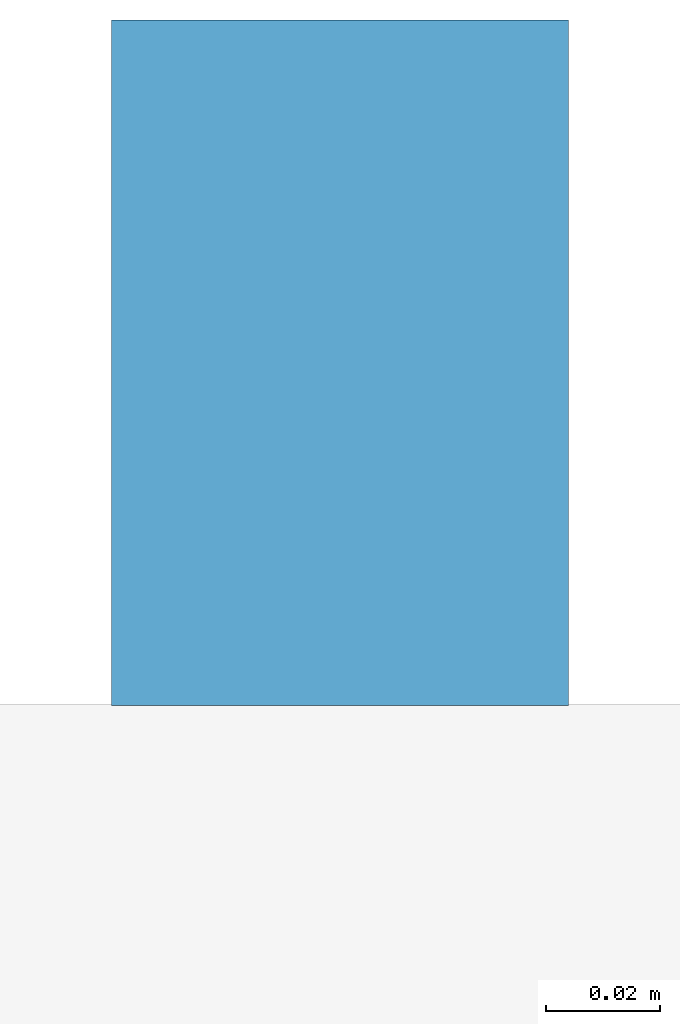
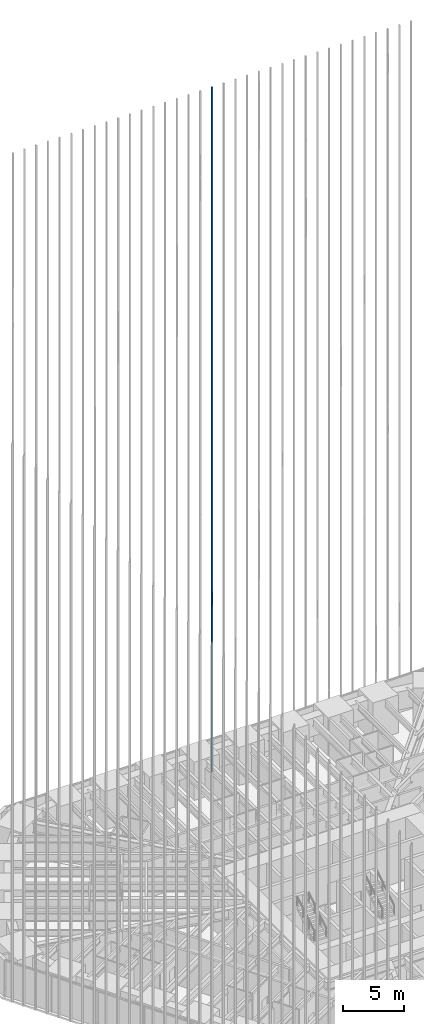
# One storey, part 190 of 256: 1 member, 1 element without a shape of its own.
"""IFC4 building model written with IfcOpenShell, lengths in metres."""

import ifcopenshell
import ifcopenshell.guid

model = None  # the IFC model being written
_history = None  # IfcOwnerHistory: only IFC2X3 demands one
_inside = {}  # id of a spatial element -> (the spatial element, [elements in it])
_under = {}  # id of a project, library or spatial element -> (it, [spatial elements below it])
_declared = {}  # id of a project -> (the project, [libraries it declares])
_typed = {}  # id of a type object -> (the type object, [elements of that type])
_made_of = {}  # id of a material, layer set ... -> (it, [elements and type objects made of it])


def new_model(schema):
    """Start an empty IFC model of exactly this schema.

    Asked for "IFC4X3", IfcOpenShell would pick the latest addendum, in which some entities
    have other attributes; the version numbers below select the first issue.
    IFC2X3 requires an IfcOwnerHistory on every rooted entity: one is made here for all.
    """
    global model, _history
    if schema == "IFC4X3":
        model = ifcopenshell.file(schema_version=(4, 3, 0, 0))
    else:
        model = ifcopenshell.file(schema=schema)
    _inside.clear()
    _under.clear()
    _declared.clear()
    _typed.clear()
    _made_of.clear()
    _history = None
    if model.schema == "IFC2X3":
        org = make("IfcOrganization", Name="unknown")
        user = make(
            "IfcPersonAndOrganization",
            ThePerson=make("IfcPerson", FamilyName="unknown"),
            TheOrganization=org,
        )
        app = make(
            "IfcApplication",
            ApplicationDeveloper=org,
            Version="unknown",
            ApplicationFullName="unknown",
            ApplicationIdentifier="unknown",
        )
        _history = make(
            "IfcOwnerHistory",
            OwningUser=user,
            OwningApplication=app,
            ChangeAction="ADDED",
            CreationDate=0,
        )
    return model


def make(cls, **values):
    """One entity of the class cls with the attributes given. An attribute that is None is left unset."""
    return model.create_entity(
        cls, **{name: value for name, value in values.items() if value is not None}
    )


def rooted(cls, **values):
    """An entity with a GlobalId (a new one), such as an element, a storey or a relation."""
    return make(cls, GlobalId=ifcopenshell.guid.new(), OwnerHistory=_history, **values)


def si_unit(unit_type, name, prefix=None):
    """IfcSIUnit, for example si_unit("LENGTHUNIT", "METRE", prefix="MILLI")."""
    return make("IfcSIUnit", UnitType=unit_type, Prefix=prefix, Name=name)


def assignment(units):
    """IfcUnitAssignment: the units of a project."""
    return None if units is None else make("IfcUnitAssignment", Units=units)


def point(xyz):
    """IfcCartesianPoint."""
    return None if xyz is None else make("IfcCartesianPoint", Coordinates=xyz)


def direction(xyz):
    """IfcDirection."""
    return None if xyz is None else make("IfcDirection", DirectionRatios=xyz)


def frame(location, z_axis=None, x_axis=None):
    """IfcAxis2Placement3D, a coordinate frame: its origin and axes. An axis left out is left unset."""
    return make(
        "IfcAxis2Placement3D",
        Location=point(location),
        Axis=direction(z_axis),
        RefDirection=direction(x_axis),
    )


def frame_2d(location, x_axis=None):
    """IfcAxis2Placement2D, a coordinate frame in the plane: its origin and x axis."""
    return make(
        "IfcAxis2Placement2D", Location=point(location), RefDirection=direction(x_axis)
    )


def origin():
    """The frame at (0, 0, 0) with its axes left unset."""
    return frame((0.0, 0.0, 0.0))


def origin_2d():
    """The frame at (0, 0) in the plane with its x axis left unset."""
    return frame_2d((0.0, 0.0))


def place(relative_to, where):
    """IfcLocalPlacement: puts the frame where relative to a parent placement (None: the world)."""
    return make(
        "IfcLocalPlacement", PlacementRelTo=relative_to, RelativePlacement=where
    )


def context(
    kind, dimensions, precision=None, world=None, true_north=None, identifier=None
):
    """IfcGeometricRepresentationContext, for example the 3D "Model" context."""
    return make(
        "IfcGeometricRepresentationContext",
        ContextIdentifier=identifier,
        ContextType=kind,
        CoordinateSpaceDimension=dimensions,
        Precision=precision,
        WorldCoordinateSystem=world,
        TrueNorth=true_north,
    )


def subcontext(parent, identifier, kind, view, scale=None):
    """IfcGeometricRepresentationSubContext, for example "Body" below "Model"."""
    return make(
        "IfcGeometricRepresentationSubContext",
        ContextIdentifier=identifier,
        ContextType=kind,
        ParentContext=parent,
        TargetScale=scale,
        TargetView=view,
    )


def project(units=None, contexts=None):
    """IfcProject with its units and contexts."""
    return rooted(
        "IfcProject",
        Name="project",
        RepresentationContexts=contexts,
        UnitsInContext=assignment(units),
    )


def spatial(cls, under=None, at=None, **own):
    """A site, building, storey or space (cls), placed at a placement, below another one or the project."""
    s = rooted(cls, ObjectPlacement=at, **own)
    if under is not None:
        _under.setdefault(under.id(), (under, []))[1].append(s)
    return s


def profile(cls, at=None, kind="AREA", **sizes):
    """A parametric profile (cls). Its sizes go by their IFC names, for example OverallWidth=200.0."""
    return make(cls, ProfileType=kind, Position=at, **sizes)


def rectangle(**sizes):
    """IfcRectangleProfileDef."""
    return profile("IfcRectangleProfileDef", **sizes)


def extrude(swept, where, along, depth):
    """IfcExtrudedAreaSolid: the profile swept, set in the frame where, extruded along a direction by depth."""
    return make(
        "IfcExtrudedAreaSolid",
        SweptArea=swept,
        Position=where,
        ExtrudedDirection=direction(along),
        Depth=depth,
    )


def shape(context_of_items, identifier, shape_type, items):
    """IfcShapeRepresentation: the items that make up one representation, for example the "Body"."""
    return make(
        "IfcShapeRepresentation",
        ContextOfItems=context_of_items,
        RepresentationIdentifier=identifier,
        RepresentationType=shape_type,
        Items=items,
    )


def material(Name=None, Category=None):
    """IfcMaterial."""
    return make("IfcMaterial", Name=Name, Category=Category)


def material_profile(
    of_material, cross_section, Name=None, Category=None, Priority=None
):
    """IfcMaterialProfile: a cross section and its material."""
    return make(
        "IfcMaterialProfile",
        Name=Name,
        Material=of_material,
        Profile=cross_section,
        Priority=Priority,
        Category=Category,
    )


def profile_set(profiles, Name=None, composite=None):
    """IfcMaterialProfileSet."""
    return make(
        "IfcMaterialProfileSet",
        Name=Name,
        MaterialProfiles=profiles,
        CompositeProfile=composite,
    )


def made_of(thing, what):
    """Note that an element or type object is made of a material, layer set ...; save() writes the relation."""
    if what is not None:
        _made_of.setdefault(what.id(), (what, []))[1].append(thing)
    return thing


def type_object(cls, material=None, **own):
    """A type object (cls), such as IfcWallType, which elements share."""
    return made_of(rooted(cls, **own), material)


def element(
    cls,
    number,
    at=None,
    inside=None,
    cuts=None,
    type_object=None,
    material=None,
    context=None,
    identifier="Body",
    shape_type=None,
    held_by="IfcProductDefinitionShape",
    body=None,
    shapes=None,
    **own,
):
    """One element of the class cls, such as IfcWall. Its Tag is "e" and its number.

    at: its placement. inside: the storey or other place that contains it. cuts: it is an
    opening in that element (IfcRelVoidsElement). A single representation is given by context,
    identifier, shape_type and body (its items); several are given by shapes. held_by: the class
    of the entity that holds the representations. save() writes the other relations.
    """
    e = rooted(cls, Tag="e%d" % number, ObjectPlacement=at, **own)
    if body is not None:
        shapes = [shape(context, identifier, shape_type, body)]
    if shapes is not None:
        e.Representation = make(held_by, Representations=shapes)
    if inside is not None:
        _inside.setdefault(inside.id(), (inside, []))[1].append(e)
    if cuts is not None:
        rooted(
            "IfcRelVoidsElement", RelatingBuildingElement=cuts, RelatedOpeningElement=e
        )
    if type_object is not None:
        _typed.setdefault(type_object.id(), (type_object, []))[1].append(e)
    return made_of(e, material)


def aggregate(whole, parts):
    """IfcRelAggregates: a whole, such as a stair, and the parts it consists of."""
    return rooted("IfcRelAggregates", RelatingObject=whole, RelatedObjects=parts)


def save(model, path):
    """Write the relations noted so far, then the file.

    IfcRelAggregates (storeys below a building ...), IfcRelContainedInSpatialStructure (elements
    in a storey), IfcRelDefinesByType, IfcRelAssociatesMaterial and IfcRelDeclares: one each for
    every whole, place, type object, material and project.
    """
    for whole, parts in _under.values():
        aggregate(whole, parts)
    for where, things in _inside.values():
        rooted(
            "IfcRelContainedInSpatialStructure",
            RelatedElements=things,
            RelatingStructure=where,
        )
    for kind, things in _typed.values():
        rooted("IfcRelDefinesByType", RelatedObjects=things, RelatingType=kind)
    for what, things in _made_of.values():
        rooted("IfcRelAssociatesMaterial", RelatedObjects=things, RelatingMaterial=what)
    for by, libraries in _declared.values():
        rooted("IfcRelDeclares", RelatingContext=by, RelatedDefinitions=libraries)
    model.write(path)


model = new_model("IFC4")

# Units and contexts
model_context = context("Model", 3, precision=1e-05, world=origin(), true_north=direction((0.0, 1.0)))
body_context = subcontext(model_context, "Body", "Model", "MODEL_VIEW")
ifc_project = project(units=[si_unit("LENGTHUNIT", "METRE"), si_unit("AREAUNIT", "SQUARE_METRE"), si_unit("VOLUMEUNIT", "CUBIC_METRE"), si_unit("PLANEANGLEUNIT", "RADIAN"), si_unit("MASSUNIT", "GRAM", prefix="KILO")], contexts=[model_context])

# Site, building, storey
site_placement = place(None, origin())
site = spatial("IfcSite", under=ifc_project, at=site_placement, CompositionType="ELEMENT")
building_placement = place(site_placement, origin())
building = spatial("IfcBuilding", under=site, at=building_placement, Name="Sandreach Pilgrim Tower", CompositionType="ELEMENT")
storey_placement = place(building_placement, frame((0.0, 0.0, 23.0)))
storey = spatial("IfcBuildingStorey", under=building, at=storey_placement, Name="L04", CompositionType="ELEMENT", Elevation=23.0)

# Curtain wall, member
ifc_material_1 = material(Name="Aluminium framed curtain wall", Category="aluminium")
curtain_wall_type = type_object("IfcCurtainWallType", Name="Hostel tower curtain wall", PredefinedType="NOTDEFINED", material=ifc_material_1)
curtain_wall_placement = place(storey_placement, origin())
curtain_wall = element("IfcCurtainWall", 1, at=curtain_wall_placement, inside=storey, type_object=curtain_wall_type, Name="CW-1 L04 N", PredefinedType="NOTDEFINED")
ifc_material_2 = material(Name="Extruded terracotta on aluminium core", Category="masonry")
ifc_material_profile = material_profile(ifc_material_2, rectangle(XDim=0.080078125, YDim=0.1201171875, at=origin_2d()), Name="TBN 80X120")
ifc_profile_set = profile_set([ifc_material_profile], Name="Extruded terracotta on aluminium core")
member_type = type_object("IfcMemberType", Name="Terracotta baguette north", PredefinedType="USERDEFINED", material=ifc_profile_set)
member_placement = place(storey_placement, frame((0.0, 24.30859375, 0.0), z_axis=(0.0, 0.0, 1.0), x_axis=(1.0, 0.0, 0.0)))
member = element("IfcMember", 2, at=member_placement, type_object=member_type, Name="Baguette Z1 N18", ObjectType="BAGUETTE", PredefinedType="USERDEFINED", context=body_context, shape_type="SweptSolid", body=[
    extrude(rectangle(XDim=0.080078125, YDim=0.1201171875, at=origin_2d()), origin(), (0.0, 0.0, 1.0), 68.239990234375),
])
aggregate(curtain_wall, [member])

save(model, "model.ifc")
